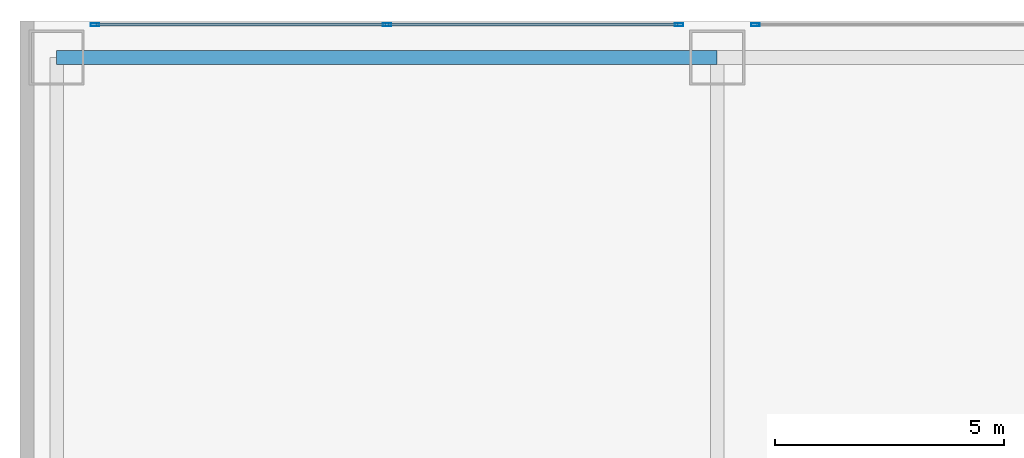
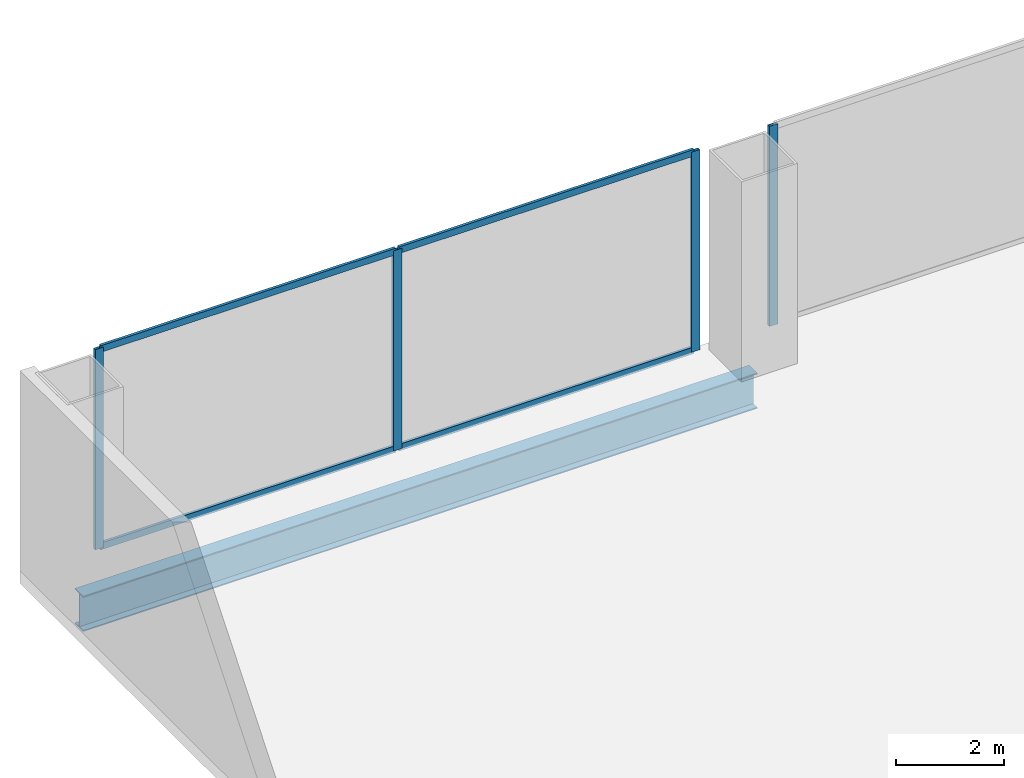
# One storey, part 18 of 40: 8 members, 1 beam, 2 elements without a shape of their own.
"""IFC4 building model written with IfcOpenShell, lengths in metres."""

from ifc_helpers import new_model, si_unit, direction, frame, origin, origin_2d, place, context, subcontext, project, spatial, hollow_rectangle, i_section, extrude, source, transform, mapped, material, layer, layer_set, material_profile, profile_set, type_object, element, aggregate, save


model = new_model("IFC4")

# Units and contexts
model_context = context("Model", 3, precision=1e-05, world=origin(), true_north=direction((0.0, 1.0)))
body_context = subcontext(model_context, "Body", "Model", "MODEL_VIEW")
ifc_project = project(units=[si_unit("LENGTHUNIT", "METRE"), si_unit("AREAUNIT", "SQUARE_METRE"), si_unit("VOLUMEUNIT", "CUBIC_METRE"), si_unit("PLANEANGLEUNIT", "RADIAN"), si_unit("MASSUNIT", "GRAM", prefix="KILO"), si_unit("THERMODYNAMICTEMPERATUREUNIT", "KELVIN"), si_unit("POWERUNIT", "WATT")], contexts=[model_context])

# Site, building, storey
site_placement = place(None, origin())
site = spatial("IfcSite", under=ifc_project, at=site_placement, CompositionType="ELEMENT")
building_placement = place(site_placement, origin())
building = spatial("IfcBuilding", under=site, at=building_placement, Name="Yunzhuo Pagoda Commons", CompositionType="ELEMENT")
storey_placement = place(building_placement, frame((0.0, 0.0, 14.39990234375)))
storey = spatial("IfcBuildingStorey", under=building, at=storey_placement, Name="L04", CompositionType="ELEMENT", Elevation=14.39990234375)

# Beam
ifc_material_1 = material(Name="Structural steel Q355B", Category="steel")
ifc_material_profile_1 = material_profile(ifc_material_1, i_section(OverallWidth=0.300048828125, OverallDepth=0.800048828125, WebThickness=0.013916015625, FlangeThickness=0.02587890625, at=origin_2d()), Name="Structural steel Q355B")
ifc_profile_set_1 = profile_set([ifc_material_profile_1], Name="Structural steel Q355B")
beam_type = type_object("IfcBeamType", Name="B-PD2 Beam HN 800x300x14x26", PredefinedType="BEAM", material=ifc_profile_set_1)
shared_shape_1 = source(origin(), body_context, "Body", "SweptSolid", [
    extrude(i_section(OverallWidth=0.300048828125, OverallDepth=0.800048828125, WebThickness=0.013916015625, FlangeThickness=0.02587890625, at=origin_2d()), origin(), (0.0, 0.0, 1.0), 14.39990234375),
])
beam_placement = place(storey_placement, frame((4.800048828125, 81.199951171875, -0.679931640625), z_axis=(1.0, 0.0, 0.0), x_axis=(0.0, 1.0, 0.0)))
element("IfcBeam", 1, at=beam_placement, inside=storey, type_object=beam_type, Name="L04 podium girder EW 5.1", PredefinedType="BEAM", context=body_context, shape_type="MappedRepresentation", body=[
    mapped(shared_shape_1, transform((0.0, 0.0, 0.0), scale=1.0)),
])

# Curtain wall, members
ifc_material_2 = material(Name="Anodized aluminium 6063-T6", Category="aluminium")
ifc_layer = layer(ifc_material_2, 0.179931640625)
ifc_layer_set = layer_set([ifc_layer], Name="Anodized aluminium 6063-T6")
curtain_wall_type = type_object("IfcCurtainWallType", Name="CW-POD Waterfront Podium Curtain Wall", PredefinedType="NOTDEFINED", material=ifc_layer_set)
curtain_wall_1_placement = place(storey_placement, origin())
curtain_wall_1 = element("IfcCurtainWall", 2, at=curtain_wall_1_placement, inside=storey, type_object=curtain_wall_type, Name="L04 curtain wall CW-L04-N1", PredefinedType="NOTDEFINED")
ifc_material_profile_2 = material_profile(ifc_material_2, hollow_rectangle(XDim=0.06494140625, YDim=0.179931640625, WallThickness=0.00390625, at=origin_2d()), Name="Anodized aluminium 6063-T6")
ifc_profile_set_2 = profile_set([ifc_material_profile_2], Name="Anodized aluminium 6063-T6")
member_type_1 = type_object("IfcMemberType", Name="CW-POD-M Mullion RHS 180x65x4", PredefinedType="MULLION", material=ifc_profile_set_2)
shared_shape_2 = source(origin(), body_context, "Body", "SweptSolid", [
    extrude(hollow_rectangle(XDim=0.06494140625, YDim=0.179931640625, WallThickness=0.00390625, at=origin_2d()), origin(), (0.0, 0.0, 1.0), 4.52001953125),
])
member_1_placement = place(storey_placement, frame((5.632568359375, 81.919921875, 0.0), z_axis=(0.0, 0.0, 1.0), x_axis=(0.0, 1.0, 0.0)))
member_1 = element("IfcMember", 3, at=member_1_placement, type_object=member_type_1, Name="CW mullion 1", PredefinedType="MULLION", context=body_context, shape_type="MappedRepresentation", body=[
    mapped(shared_shape_2, transform((0.0, 0.0, 0.0), scale=1.0)),
])
member_2_placement = place(storey_placement, frame((12.0, 81.919921875, 0.0), z_axis=(0.0, 0.0, 1.0), x_axis=(0.0, 1.0, 0.0)))
member_2 = element("IfcMember", 4, at=member_2_placement, type_object=member_type_1, Name="CW mullion 2", PredefinedType="MULLION", context=body_context, shape_type="MappedRepresentation", body=[
    mapped(shared_shape_2, transform((0.0, 0.0, 0.0), scale=1.0)),
])
member_3_placement = place(storey_placement, frame((18.367431640625, 81.919921875, 0.0), z_axis=(0.0, 0.0, 1.0), x_axis=(0.0, 1.0, 0.0)))
member_3 = element("IfcMember", 5, at=member_3_placement, type_object=member_type_1, Name="CW mullion 3", PredefinedType="MULLION", context=body_context, shape_type="MappedRepresentation", body=[
    mapped(shared_shape_2, transform((0.0, 0.0, 0.0), scale=1.0)),
])

# Curtain wall, member
curtain_wall_2_placement = place(storey_placement, origin())
curtain_wall_2 = element("IfcCurtainWall", 6, at=curtain_wall_2_placement, inside=storey, type_object=curtain_wall_type, Name="L04 curtain wall CW-L04-N2", PredefinedType="NOTDEFINED")
member_4_placement = place(storey_placement, frame((20.032470703125, 81.919921875, 0.0), z_axis=(0.0, 0.0, 1.0), x_axis=(0.0, 1.0, 0.0)))
member_4 = element("IfcMember", 7, at=member_4_placement, type_object=member_type_1, Name="CW mullion 1", PredefinedType="MULLION", context=body_context, shape_type="MappedRepresentation", body=[
    mapped(shared_shape_2, transform((0.0, 0.0, 0.0), scale=1.0)),
])
aggregate(curtain_wall_2, [member_4])

# Member
ifc_material_profile_3 = material_profile(ifc_material_2, hollow_rectangle(XDim=0.06005859375, YDim=0.14990234375, WallThickness=0.00390625, at=origin_2d()), Name="Anodized aluminium 6063-T6")
ifc_profile_set_3 = profile_set([ifc_material_profile_3], Name="Anodized aluminium 6063-T6")
member_type_2 = type_object("IfcMemberType", Name="CW-POD-T Transom RHS 150x60x4", PredefinedType="USERDEFINED", material=ifc_profile_set_3)
shared_shape_3 = source(origin(), body_context, "Body", "SweptSolid", [
    extrude(hollow_rectangle(XDim=0.06005859375, YDim=0.14990234375, WallThickness=0.00390625, at=origin_2d()), origin(), (0.0, 0.0, 1.0), 6.302490234375),
])
member_5_placement = place(storey_placement, frame((5.6650390625, 81.919921875, 0.030029296875), z_axis=(1.0, 0.0, 0.0), x_axis=(0.0, 1.0, 0.0)))
member_5 = element("IfcMember", 8, at=member_5_placement, type_object=member_type_2, Name="CW transom 1.1", ObjectType="TRANSOM", PredefinedType="USERDEFINED", context=body_context, shape_type="MappedRepresentation", body=[
    mapped(shared_shape_3, transform((0.0, 0.0, 0.0), scale=1.0)),
])

member_6_placement = place(storey_placement, frame((5.6650390625, 81.919921875, 4.489990234375), z_axis=(1.0, 0.0, 0.0), x_axis=(0.0, 1.0, 0.0)))
member_6 = element("IfcMember", 9, at=member_6_placement, type_object=member_type_2, Name="CW transom 1.2", ObjectType="TRANSOM", PredefinedType="USERDEFINED", context=body_context, shape_type="MappedRepresentation", body=[
    mapped(shared_shape_3, transform((0.0, 0.0, 0.0), scale=1.0)),
])

member_7_placement = place(storey_placement, frame((12.032470703125, 81.919921875, 0.030029296875), z_axis=(1.0, 0.0, 0.0), x_axis=(0.0, 1.0, 0.0)))
member_7 = element("IfcMember", 10, at=member_7_placement, type_object=member_type_2, Name="CW transom 2.1", ObjectType="TRANSOM", PredefinedType="USERDEFINED", context=body_context, shape_type="MappedRepresentation", body=[
    mapped(shared_shape_3, transform((0.0, 0.0, 0.0), scale=1.0)),
])

member_8_placement = place(storey_placement, frame((12.032470703125, 81.919921875, 4.489990234375), z_axis=(1.0, 0.0, 0.0), x_axis=(0.0, 1.0, 0.0)))
member_8 = element("IfcMember", 11, at=member_8_placement, type_object=member_type_2, Name="CW transom 2.2", ObjectType="TRANSOM", PredefinedType="USERDEFINED", context=body_context, shape_type="MappedRepresentation", body=[
    mapped(shared_shape_3, transform((0.0, 0.0, 0.0), scale=1.0)),
])

aggregate(curtain_wall_1, [member_1, member_2, member_3, member_5, member_6, member_7, member_8])

save(model, "model.ifc")
